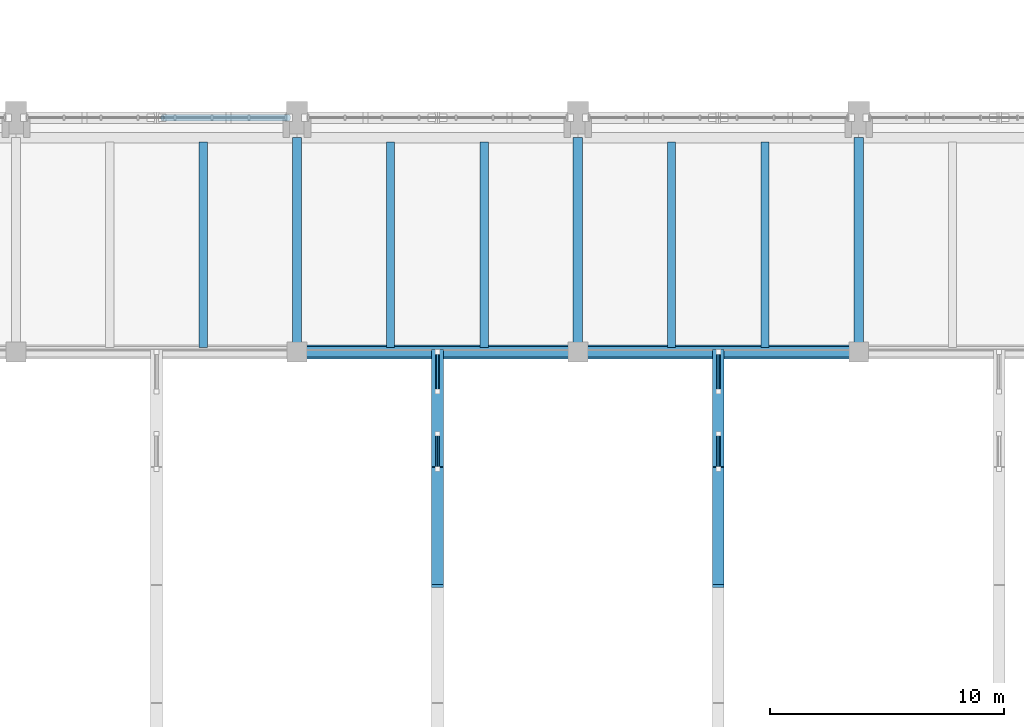
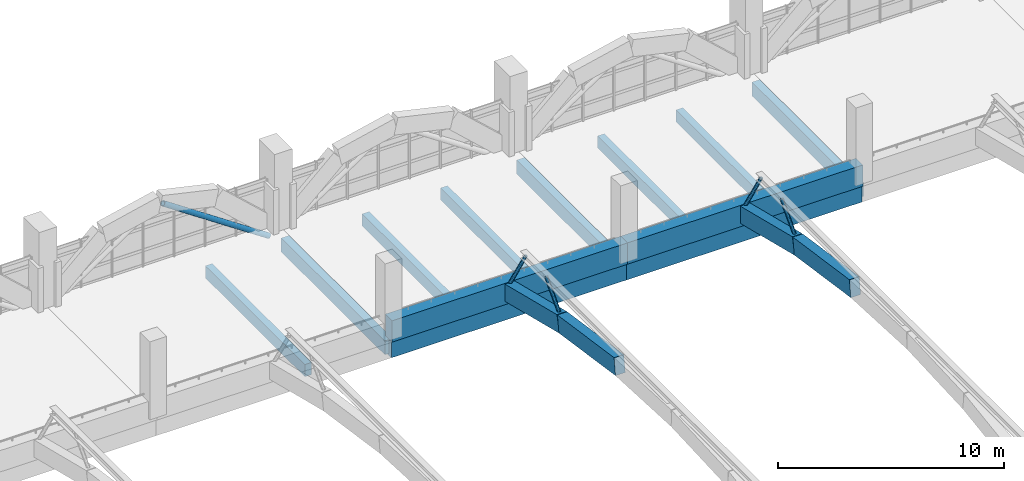
# One storey, part 32 of 161: 16 beams, 5 members.
"""IFC4 building model written with IfcOpenShell, lengths in metres."""

from ifc_helpers import new_model, si_unit, direction, frame, origin, origin_2d, place, context, subcontext, project, spatial, rectangle, hollow_circle, extrude, material, material_profile, profile_set, type_object, element, save


model = new_model("IFC4")

# Units and contexts
model_context = context("Model", 3, precision=1e-05, world=origin(), true_north=direction((0.0, 1.0)))
body_context = subcontext(model_context, "Body", "Model", "MODEL_VIEW")
ifc_project = project(units=[si_unit("LENGTHUNIT", "METRE"), si_unit("AREAUNIT", "SQUARE_METRE"), si_unit("VOLUMEUNIT", "CUBIC_METRE"), si_unit("PLANEANGLEUNIT", "RADIAN"), si_unit("MASSUNIT", "GRAM", prefix="KILO")], contexts=[model_context])

# Site, building, storey
site_placement = place(None, origin())
site = spatial("IfcSite", under=ifc_project, at=site_placement, CompositionType="ELEMENT")
building_placement = place(site_placement, origin())
building = spatial("IfcBuilding", under=site, at=building_placement, Name="Mersad Railyard Sports Hall", CompositionType="ELEMENT")
storey_placement = place(building_placement, frame((0.0, 0.0, 4.800048828125)))
storey = spatial("IfcBuildingStorey", under=building, at=storey_placement, Name="L01", CompositionType="ELEMENT", Elevation=4.800048828125)

# Beams
ifc_material_1 = material(Name="Concrete C40/50", Category="concrete")
ifc_material_profile_1 = material_profile(ifc_material_1, rectangle(XDim=0.39990234375, YDim=0.75, at=origin_2d()), Name="RC 400x750")
ifc_profile_set_1 = profile_set([ifc_material_profile_1], Name="Concrete C40/50")
beam_type_1 = type_object("IfcBeamType", Name="STR-BM-B01", PredefinedType="BEAM", material=ifc_profile_set_1)
for number, where, z_axis, x_axis, name in (
    (1, (43.0, 43.5, -0.655029296875), (0.0, 1.0, 0.0), (-1.0, 0.0, 0.0), "Beam B01-0312"),
    (2, (55.0, 43.5, -0.655029296875), (0.0, 1.0, 0.0), (-1.0, 0.0, 0.0), "Beam B01-0313"),
    (3, (67.0, 43.5, -0.655029296875), (0.0, 1.0, 0.0), (-1.0, 0.0, 0.0), "Beam B01-0314"),
):
    element("IfcBeam", number, at=place(storey_placement, frame(where, z_axis=z_axis, x_axis=x_axis)), inside=storey, type_object=beam_type_1, Name=name, PredefinedType="BEAM", context=body_context, shape_type="SweptSolid", body=[
        extrude(rectangle(XDim=0.39990234375, YDim=0.75, at=origin_2d()), origin(), (0.0, 0.0, 1.0), 9.14990234375),
    ])
ifc_material_profile_2 = material_profile(ifc_material_1, rectangle(XDim=0.449951171875, YDim=0.85009765625, at=origin_2d()), Name="RC 450x850")
ifc_profile_set_2 = profile_set([ifc_material_profile_2], Name="Concrete C40/50")
beam_type_2 = type_object("IfcBeamType", Name="STR-BM-B02", PredefinedType="BEAM", material=ifc_profile_set_2)
for number, where, z_axis, x_axis, name in (
    (4, (43.0, 43.5, -0.705078125), (1.0, 0.0, 0.0), (0.0, 1.0, 0.0), "Beam B02-0302"),
    (5, (55.0, 43.5, -0.705078125), (1.0, 0.0, 0.0), (0.0, 1.0, 0.0), "Beam B02-0303"),
):
    element("IfcBeam", number, at=place(storey_placement, frame(where, z_axis=z_axis, x_axis=x_axis)), inside=storey, type_object=beam_type_2, Name=name, PredefinedType="BEAM", context=body_context, shape_type="SweptSolid", body=[
        extrude(rectangle(XDim=0.449951171875, YDim=0.85009765625, at=origin_2d()), origin(), (0.0, 0.0, 1.0), 12.0),
    ])
ifc_material_2 = material(Name="Concrete C50/60", Category="concrete")
ifc_material_profile_3 = material_profile(ifc_material_2, rectangle(XDim=0.60009765625, YDim=1.14990234375, at=origin_2d()), Name="RC 600x1150")
ifc_profile_set_3 = profile_set([ifc_material_profile_3], Name="Concrete C50/60")
beam_type_3 = type_object("IfcBeamType", Name="STR-BM-B05", PredefinedType="BEAM", material=ifc_profile_set_3)
for number, where, z_axis, x_axis, name in (
    (6, (43.0, 43.5, 0.33984375), (1.0, 0.0, 0.0), (0.0, 1.0, 0.0), "Beam B05-0529"),
    (7, (55.0, 43.5, 0.33984375), (1.0, 0.0, 0.0), (0.0, 1.0, 0.0), "Beam B05-0537"),
):
    element("IfcBeam", number, at=place(storey_placement, frame(where, z_axis=z_axis, x_axis=x_axis)), inside=storey, type_object=beam_type_3, Name=name, PredefinedType="BEAM", context=body_context, shape_type="SweptSolid", body=[
        extrude(rectangle(XDim=0.60009765625, YDim=1.14990234375, at=origin_2d()), origin(), (0.0, 0.0, 1.0), 12.0),
    ])
ifc_material_profile_4 = material_profile(ifc_material_1, rectangle(XDim=0.35009765625, YDim=0.64990234375, at=origin_2d()), Name="RC 350x650")
ifc_profile_set_4 = profile_set([ifc_material_profile_4], Name="Concrete C40/50")
beam_type_4 = type_object("IfcBeamType", Name="STR-BM-J01", PredefinedType="JOIST", material=ifc_profile_set_4)
for number, where, z_axis, x_axis, name in (
    (8, (39.0, 43.679931640625, -0.60498046875), (0.0, 1.0, 0.0), (-1.0, 0.0, 0.0), "Beam J01-0407"),
    (9, (47.0, 43.679931640625, -0.60498046875), (0.0, 1.0, 0.0), (-1.0, 0.0, 0.0), "Beam J01-0408"),
    (10, (51.0, 43.679931640625, -0.60498046875), (0.0, 1.0, 0.0), (-1.0, 0.0, 0.0), "Beam J01-0409"),
    (11, (59.0, 43.679931640625, -0.60498046875), (0.0, 1.0, 0.0), (-1.0, 0.0, 0.0), "Beam J01-0410"),
    (12, (63.0, 43.679931640625, -0.60498046875), (0.0, 1.0, 0.0), (-1.0, 0.0, 0.0), "Beam J01-0411"),
):
    element("IfcBeam", number, at=place(storey_placement, frame(where, z_axis=z_axis, x_axis=x_axis)), inside=storey, type_object=beam_type_4, Name=name, PredefinedType="JOIST", context=body_context, shape_type="SweptSolid", body=[
        extrude(rectangle(XDim=0.35009765625, YDim=0.64990234375, at=origin_2d()), origin(), (0.0, 0.0, 1.0), 8.7900390625),
    ])
ifc_material_3 = material(Name="Architectural concrete C50/60", Category="concrete")
ifc_material_profile_5 = material_profile(ifc_material_3, rectangle(XDim=0.5, YDim=0.89990234375, at=origin_2d()), Name="VR 500x900")
ifc_profile_set_5 = profile_set([ifc_material_profile_5], Name="Architectural concrete C50/60")
beam_type_5 = type_object("IfcBeamType", Name="STR-BM-VR02", PredefinedType="BEAM", material=ifc_profile_set_5)
beam_1_placement = place(storey_placement, frame((49.0, 33.5, 2.30908203125), z_axis=(0.0, 0.989516876333, -0.144417282391), x_axis=(-1.0, 0.0, 0.0)))
element("IfcBeam", 13, at=beam_1_placement, inside=storey, type_object=beam_type_5, Name="Beam VR02-0534", PredefinedType="BEAM", context=body_context, shape_type="SweptSolid", body=[
    extrude(rectangle(XDim=0.5, YDim=0.89990234375, at=origin_2d()), origin(), (0.0, 0.0, 1.0), 5.052978515625),
])
beam_2_placement = place(storey_placement, frame((49.0, 38.5, 1.579345703125), z_axis=(0.0, 0.970609045837, -0.240661754627), x_axis=(-1.0, 0.0, 0.0)))
element("IfcBeam", 14, at=beam_2_placement, inside=storey, type_object=beam_type_5, Name="Beam VR02-0535", PredefinedType="BEAM", context=body_context, shape_type="SweptSolid", body=[
    extrude(rectangle(XDim=0.5, YDim=0.89990234375, at=origin_2d()), origin(), (0.0, 0.0, 1.0), 5.1513671875),
])
beam_3_placement = place(storey_placement, frame((61.0, 33.5, 2.30908203125), z_axis=(0.0, 0.989516876333, -0.144417282391), x_axis=(-1.0, 0.0, 0.0)))
element("IfcBeam", 15, at=beam_3_placement, inside=storey, type_object=beam_type_5, Name="Beam VR02-0542", PredefinedType="BEAM", context=body_context, shape_type="SweptSolid", body=[
    extrude(rectangle(XDim=0.5, YDim=0.89990234375, at=origin_2d()), origin(), (0.0, 0.0, 1.0), 5.052978515625),
])
beam_4_placement = place(storey_placement, frame((61.0, 38.5, 1.579345703125), z_axis=(0.0, 0.970609045837, -0.240661754627), x_axis=(-1.0, 0.0, 0.0)))
element("IfcBeam", 16, at=beam_4_placement, inside=storey, type_object=beam_type_5, Name="Beam VR02-0543", PredefinedType="BEAM", context=body_context, shape_type="SweptSolid", body=[
    extrude(rectangle(XDim=0.5, YDim=0.89990234375, at=origin_2d()), origin(), (0.0, 0.0, 1.0), 5.1513671875),
])

# Members
ifc_material_4 = material(Name="Steel S355", Category="steel")
ifc_material_profile_6 = material_profile(ifc_material_4, hollow_circle(Radius=0.136474609375, WallThickness=0.012451171875, at=origin_2d()), Name="CHS 273x12.5")
ifc_profile_set_6 = profile_set([ifc_material_profile_6], Name="Steel S355")
member_type_1 = type_object("IfcMemberType", Name="STR-MEM-BR02", PredefinedType="BRACE", material=ifc_profile_set_6)
member_1_placement = place(storey_placement, frame((42.64990234375, 53.5, -0.6201171875), z_axis=(-0.829190125257, 0.0, 0.558966668215), x_axis=(0.0, -1.0, 0.0)))
element("IfcMember", 17, at=member_1_placement, inside=storey, type_object=member_type_1, Name="Structural member BR02-0012", PredefinedType="BRACE", context=body_context, shape_type="SweptSolid", body=[
    extrude(hollow_circle(Radius=0.136474609375, WallThickness=0.012451171875, at=origin_2d()), origin(), (0.0, 0.0, 1.0), 6.51220703125),
])
ifc_material_profile_7 = material_profile(ifc_material_4, hollow_circle(Radius=0.084228515625, WallThickness=0.008056640625, at=origin_2d()), Name="CHS 168.3x8")
ifc_profile_set_7 = profile_set([ifc_material_profile_7], Name="Steel S355")
member_type_2 = type_object("IfcMemberType", Name="STR-MEM-BR03", PredefinedType="BRACE", material=ifc_profile_set_7)
member_2_placement = place(storey_placement, frame((49.0, 43.5, 0.339599609375), z_axis=(0.0, -0.517575030521, 0.855637825123), x_axis=(1.0, 0.0, 0.0)))
element("IfcMember", 18, at=member_2_placement, inside=storey, type_object=member_type_2, Name="Structural member BR03-0077", PredefinedType="BRACE", context=body_context, shape_type="SweptSolid", body=[
    extrude(hollow_circle(Radius=0.084228515625, WallThickness=0.008056640625, at=origin_2d()), origin(), (0.0, 0.0, 1.0), 3.284423828125),
])
member_3_placement = place(storey_placement, frame((49.0, 38.5, 1.579345703125), z_axis=(0.0, 0.690676243766, 0.723164107446), x_axis=(-1.0, 0.0, 0.0)))
element("IfcMember", 19, at=member_3_placement, inside=storey, type_object=member_type_2, Name="Structural member BR03-0078", PredefinedType="BRACE", context=body_context, shape_type="SweptSolid", body=[
    extrude(hollow_circle(Radius=0.084228515625, WallThickness=0.008056640625, at=origin_2d()), origin(), (0.0, 0.0, 1.0), 2.171875),
])
member_4_placement = place(storey_placement, frame((61.0, 43.5, 0.339599609375), z_axis=(0.0, -0.517575030521, 0.855637825123), x_axis=(1.0, 0.0, 0.0)))
element("IfcMember", 20, at=member_4_placement, inside=storey, type_object=member_type_2, Name="Structural member BR03-0082", PredefinedType="BRACE", context=body_context, shape_type="SweptSolid", body=[
    extrude(hollow_circle(Radius=0.084228515625, WallThickness=0.008056640625, at=origin_2d()), origin(), (0.0, 0.0, 1.0), 3.284423828125),
])
member_5_placement = place(storey_placement, frame((61.0, 38.5, 1.579345703125), z_axis=(0.0, 0.690676243766, 0.723164107446), x_axis=(-1.0, 0.0, 0.0)))
element("IfcMember", 21, at=member_5_placement, inside=storey, type_object=member_type_2, Name="Structural member BR03-0083", PredefinedType="BRACE", context=body_context, shape_type="SweptSolid", body=[
    extrude(hollow_circle(Radius=0.084228515625, WallThickness=0.008056640625, at=origin_2d()), origin(), (0.0, 0.0, 1.0), 2.171875),
])

save(model, "model.ifc")
